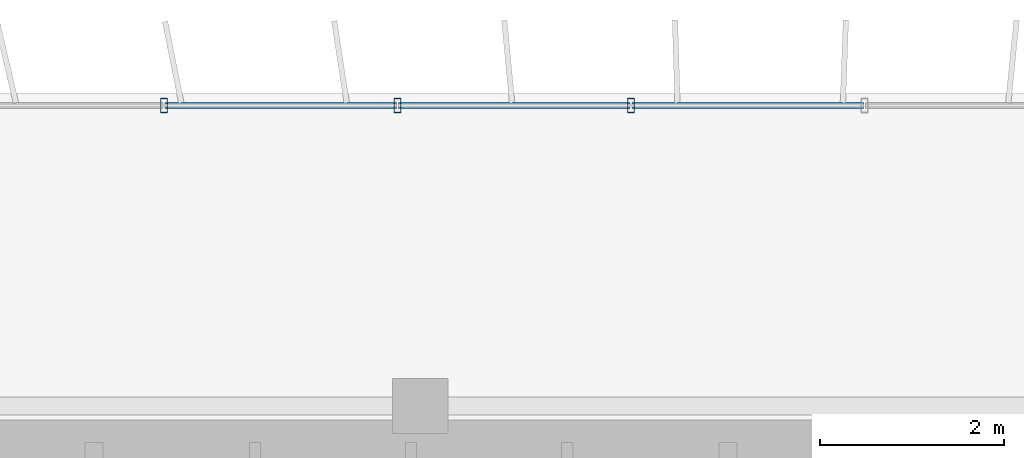
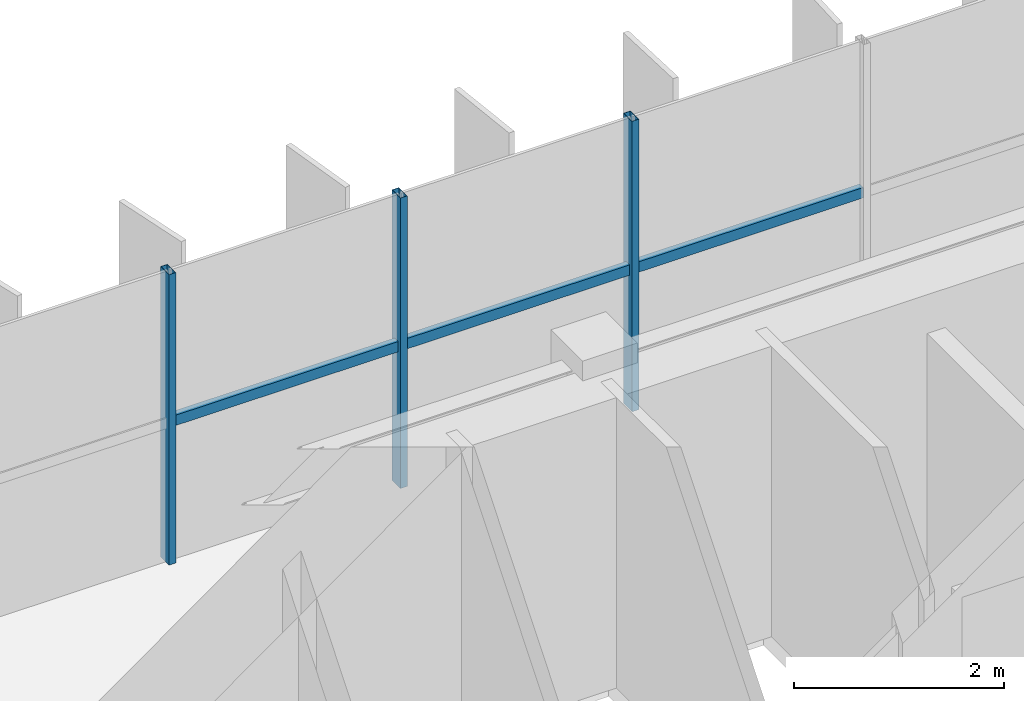
# One storey, part 11 of 23: 6 members, 1 element without a shape of its own.
"""IFC4 building model written with IfcOpenShell, lengths in metres."""

from ifc_helpers import new_model, si_unit, direction, frame, origin, origin_2d, place, context, subcontext, project, spatial, hollow_rectangle, extrude, source, transform, mapped, material, material_profile, profile_set, type_object, element, aggregate, save


model = new_model("IFC4")

# Units and contexts
model_context = context("Model", 3, precision=1e-05, world=origin(), true_north=direction((0.0, 1.0)))
body_context = subcontext(model_context, "Body", "Model", "MODEL_VIEW")
ifc_project = project(units=[si_unit("LENGTHUNIT", "METRE"), si_unit("AREAUNIT", "SQUARE_METRE"), si_unit("VOLUMEUNIT", "CUBIC_METRE"), si_unit("PLANEANGLEUNIT", "RADIAN"), si_unit("MASSUNIT", "GRAM", prefix="KILO")], contexts=[model_context])

# Site, building, storey
site_placement = place(None, origin())
site = spatial("IfcSite", under=ifc_project, at=site_placement, CompositionType="ELEMENT")
building_placement = place(site_placement, origin())
building = spatial("IfcBuilding", under=site, at=building_placement, Name="Trelvane Seafront Commons", CompositionType="ELEMENT")
storey_placement = place(building_placement, frame((0.0, 0.0, 266.699951171875)))
storey = spatial("IfcBuildingStorey", under=building, at=storey_placement, Name="L69", CompositionType="ELEMENT", Elevation=266.699951171875)

# Curtain wall, members
ifc_material = material(Name="Anodised pale-silver aluminium", Category="aluminium")
curtain_wall_type = type_object("IfcCurtainWallType", Name="ARCH-CW5-UPTOWER", PredefinedType="NOTDEFINED", material=ifc_material)
curtain_wall_placement = place(storey_placement, origin())
curtain_wall = element("IfcCurtainWall", 1, at=curtain_wall_placement, inside=storey, type_object=curtain_wall_type, Name="CW-L69-0113", PredefinedType="NOTDEFINED")
ifc_material_profile_1 = material_profile(ifc_material, hollow_rectangle(XDim=0.070068359375, YDim=0.1201171875, WallThickness=0.00390625, at=origin_2d()), Name="TRAN-70x120x4")
ifc_profile_set_1 = profile_set([ifc_material_profile_1], Name="Anodised pale-silver aluminium")
member_type_1 = type_object("IfcMemberType", Name="ARCH-CW-TRAN-120", PredefinedType="USERDEFINED", material=ifc_profile_set_1)
shared_shape_1 = source(origin(), body_context, "Body", "SweptSolid", [
    extrude(hollow_rectangle(XDim=0.070068359375, YDim=0.1201171875, WallThickness=0.00390625, at=origin_2d()), origin(), (0.0, 0.0, 1.0), 2.51708984375),
])
member_1_placement = place(storey_placement, frame((43.56494140625, 48.3701171875, 1.6181640625), z_axis=(1.0, 0.0, 0.0), x_axis=(0.0, 1.0, 0.0)))
member_1 = element("IfcMember", 2, at=member_1_placement, type_object=member_type_1, Name="CW-L69-0113-T11", ObjectType="TRANSOM", PredefinedType="USERDEFINED", context=body_context, shape_type="MappedRepresentation", body=[
    mapped(shared_shape_1, transform((0.0, 0.0, 0.0), x_axis=(1.0, 0.0, 0.0), y_axis=(0.0, 1.0, 0.0), z_axis=(0.0, 0.0, 1.0), scale=1.0)),
])
member_2_placement = place(storey_placement, frame((46.106201171875, 48.3701171875, 1.6181640625), z_axis=(1.0, 0.0, 0.0), x_axis=(0.0, 1.0, 0.0)))
member_2 = element("IfcMember", 3, at=member_2_placement, type_object=member_type_1, Name="CW-L69-0113-T12", ObjectType="TRANSOM", PredefinedType="USERDEFINED", context=body_context, shape_type="MappedRepresentation", body=[
    mapped(shared_shape_1, transform((0.0, 0.0, 0.0), x_axis=(1.0, 0.0, 0.0), y_axis=(0.0, 1.0, 0.0), z_axis=(0.0, 0.0, 1.0), scale=1.0)),
])
shared_shape_2 = source(origin(), body_context, "Body", "SweptSolid", [
    extrude(hollow_rectangle(XDim=0.070068359375, YDim=0.1201171875, WallThickness=0.00390625, at=origin_2d()), origin(), (0.0, 0.0, 1.0), 2.517333984375),
])
member_3_placement = place(storey_placement, frame((41.023681640625, 48.3701171875, 1.6181640625), z_axis=(1.0, 0.0, 0.0), x_axis=(0.0, 1.0, 0.0)))
member_3 = element("IfcMember", 4, at=member_3_placement, type_object=member_type_1, Name="CW-L69-0113-T10", ObjectType="TRANSOM", PredefinedType="USERDEFINED", context=body_context, shape_type="MappedRepresentation", body=[
    mapped(shared_shape_2, transform((0.0, 0.0, 0.0), x_axis=(1.0, 0.0, 0.0), y_axis=(0.0, 1.0, 0.0), z_axis=(0.0, 0.0, 1.0), scale=1.0)),
])
ifc_material_profile_2 = material_profile(ifc_material, hollow_rectangle(XDim=0.074951171875, YDim=0.159912109375, WallThickness=0.00390625, at=origin_2d()), Name="MULL-75x160x4")
ifc_profile_set_2 = profile_set([ifc_material_profile_2], Name="Anodised pale-silver aluminium")
member_type_2 = type_object("IfcMemberType", Name="ARCH-CW-MULL-160", PredefinedType="MULLION", material=ifc_profile_set_2)
shared_shape_3 = source(origin(), body_context, "Body", "SweptSolid", [
    extrude(hollow_rectangle(XDim=0.074951171875, YDim=0.159912109375, WallThickness=0.00390625, at=origin_2d()), origin(), (0.0, 0.0, 1.0), 3.3701171875),
])
member_4_placement = place(storey_placement, frame((41.01171875, 48.3701171875, 0.0), z_axis=(0.0, 0.0, 1.0), x_axis=(1.0, 0.0, 0.0)))
member_4 = element("IfcMember", 5, at=member_4_placement, type_object=member_type_2, Name="CW-L69-0113-M10", PredefinedType="MULLION", context=body_context, shape_type="MappedRepresentation", body=[
    mapped(shared_shape_3, transform((0.0, 0.0, 0.0), x_axis=(1.0, 0.0, 0.0), y_axis=(0.0, 1.0, 0.0), z_axis=(0.0, 0.0, 1.0), scale=1.0)),
])
member_5_placement = place(storey_placement, frame((43.552978515625, 48.3701171875, 0.0), z_axis=(0.0, 0.0, 1.0), x_axis=(1.0, 0.0, 0.0)))
member_5 = element("IfcMember", 6, at=member_5_placement, type_object=member_type_2, Name="CW-L69-0113-M11", PredefinedType="MULLION", context=body_context, shape_type="MappedRepresentation", body=[
    mapped(shared_shape_3, transform((0.0, 0.0, 0.0), x_axis=(1.0, 0.0, 0.0), y_axis=(0.0, 1.0, 0.0), z_axis=(0.0, 0.0, 1.0), scale=1.0)),
])
member_6_placement = place(storey_placement, frame((46.093994140625, 48.3701171875, 0.0), z_axis=(0.0, 0.0, 1.0), x_axis=(1.0, 0.0, 0.0)))
member_6 = element("IfcMember", 7, at=member_6_placement, type_object=member_type_2, Name="CW-L69-0113-M12", PredefinedType="MULLION", context=body_context, shape_type="MappedRepresentation", body=[
    mapped(shared_shape_3, transform((0.0, 0.0, 0.0), x_axis=(1.0, 0.0, 0.0), y_axis=(0.0, 1.0, 0.0), z_axis=(0.0, 0.0, 1.0), scale=1.0)),
])
aggregate(curtain_wall, [member_4, member_5, member_6, member_3, member_1, member_2])

save(model, "model.ifc")
